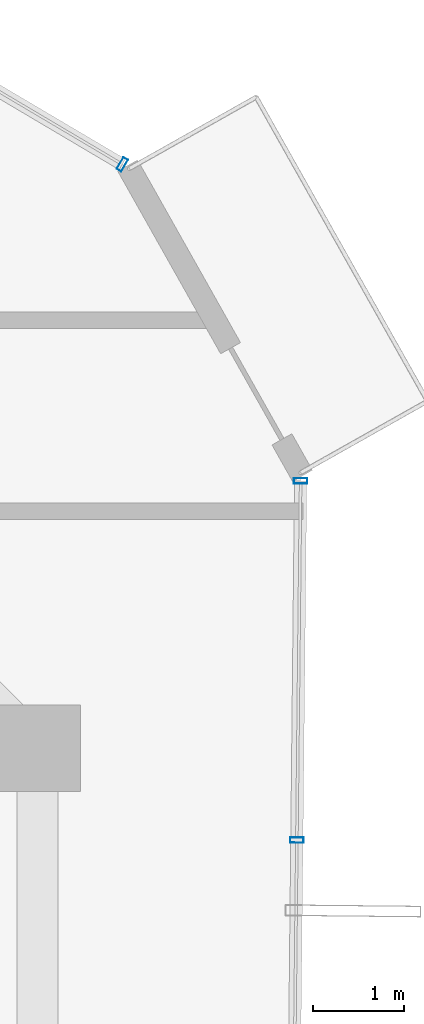
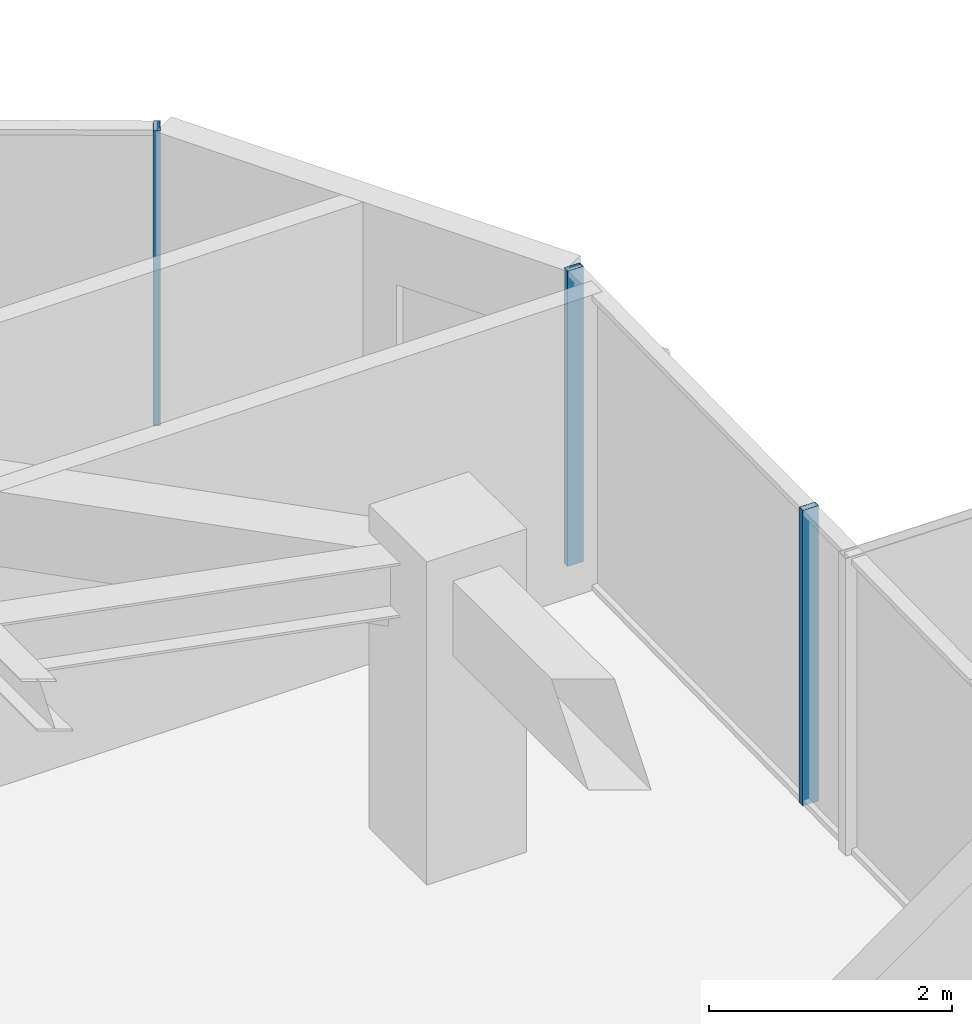
# One storey, part 18 of 30: 3 members, 2 elements without a shape of their own.
"""IFC4 building model written with IfcOpenShell, lengths in metres."""

import ifcopenshell
import ifcopenshell.guid

model = None  # the IFC model being written
_history = None  # IfcOwnerHistory: only IFC2X3 demands one
_inside = {}  # id of a spatial element -> (the spatial element, [elements in it])
_under = {}  # id of a project, library or spatial element -> (it, [spatial elements below it])
_declared = {}  # id of a project -> (the project, [libraries it declares])
_typed = {}  # id of a type object -> (the type object, [elements of that type])
_made_of = {}  # id of a material, layer set ... -> (it, [elements and type objects made of it])


def new_model(schema):
    """Start an empty IFC model of exactly this schema.

    Asked for "IFC4X3", IfcOpenShell would pick the latest addendum, in which some entities
    have other attributes; the version numbers below select the first issue.
    IFC2X3 requires an IfcOwnerHistory on every rooted entity: one is made here for all.
    """
    global model, _history
    if schema == "IFC4X3":
        model = ifcopenshell.file(schema_version=(4, 3, 0, 0))
    else:
        model = ifcopenshell.file(schema=schema)
    _inside.clear()
    _under.clear()
    _declared.clear()
    _typed.clear()
    _made_of.clear()
    _history = None
    if model.schema == "IFC2X3":
        org = make("IfcOrganization", Name="unknown")
        user = make(
            "IfcPersonAndOrganization",
            ThePerson=make("IfcPerson", FamilyName="unknown"),
            TheOrganization=org,
        )
        app = make(
            "IfcApplication",
            ApplicationDeveloper=org,
            Version="unknown",
            ApplicationFullName="unknown",
            ApplicationIdentifier="unknown",
        )
        _history = make(
            "IfcOwnerHistory",
            OwningUser=user,
            OwningApplication=app,
            ChangeAction="ADDED",
            CreationDate=0,
        )
    return model


def make(cls, **values):
    """One entity of the class cls with the attributes given. An attribute that is None is left unset."""
    return model.create_entity(
        cls, **{name: value for name, value in values.items() if value is not None}
    )


def rooted(cls, **values):
    """An entity with a GlobalId (a new one), such as an element, a storey or a relation."""
    return make(cls, GlobalId=ifcopenshell.guid.new(), OwnerHistory=_history, **values)


def si_unit(unit_type, name, prefix=None):
    """IfcSIUnit, for example si_unit("LENGTHUNIT", "METRE", prefix="MILLI")."""
    return make("IfcSIUnit", UnitType=unit_type, Prefix=prefix, Name=name)


def assignment(units):
    """IfcUnitAssignment: the units of a project."""
    return None if units is None else make("IfcUnitAssignment", Units=units)


def point(xyz):
    """IfcCartesianPoint."""
    return None if xyz is None else make("IfcCartesianPoint", Coordinates=xyz)


def direction(xyz):
    """IfcDirection."""
    return None if xyz is None else make("IfcDirection", DirectionRatios=xyz)


def frame(location, z_axis=None, x_axis=None):
    """IfcAxis2Placement3D, a coordinate frame: its origin and axes. An axis left out is left unset."""
    return make(
        "IfcAxis2Placement3D",
        Location=point(location),
        Axis=direction(z_axis),
        RefDirection=direction(x_axis),
    )


def frame_2d(location, x_axis=None):
    """IfcAxis2Placement2D, a coordinate frame in the plane: its origin and x axis."""
    return make(
        "IfcAxis2Placement2D", Location=point(location), RefDirection=direction(x_axis)
    )


def origin():
    """The frame at (0, 0, 0) with its axes left unset."""
    return frame((0.0, 0.0, 0.0))


def origin_2d():
    """The frame at (0, 0) in the plane with its x axis left unset."""
    return frame_2d((0.0, 0.0))


def place(relative_to, where):
    """IfcLocalPlacement: puts the frame where relative to a parent placement (None: the world)."""
    return make(
        "IfcLocalPlacement", PlacementRelTo=relative_to, RelativePlacement=where
    )


def context(
    kind, dimensions, precision=None, world=None, true_north=None, identifier=None
):
    """IfcGeometricRepresentationContext, for example the 3D "Model" context."""
    return make(
        "IfcGeometricRepresentationContext",
        ContextIdentifier=identifier,
        ContextType=kind,
        CoordinateSpaceDimension=dimensions,
        Precision=precision,
        WorldCoordinateSystem=world,
        TrueNorth=true_north,
    )


def subcontext(parent, identifier, kind, view, scale=None):
    """IfcGeometricRepresentationSubContext, for example "Body" below "Model"."""
    return make(
        "IfcGeometricRepresentationSubContext",
        ContextIdentifier=identifier,
        ContextType=kind,
        ParentContext=parent,
        TargetScale=scale,
        TargetView=view,
    )


def project(units=None, contexts=None):
    """IfcProject with its units and contexts."""
    return rooted(
        "IfcProject",
        Name="project",
        RepresentationContexts=contexts,
        UnitsInContext=assignment(units),
    )


def spatial(cls, under=None, at=None, **own):
    """A site, building, storey or space (cls), placed at a placement, below another one or the project."""
    s = rooted(cls, ObjectPlacement=at, **own)
    if under is not None:
        _under.setdefault(under.id(), (under, []))[1].append(s)
    return s


def profile(cls, at=None, kind="AREA", **sizes):
    """A parametric profile (cls). Its sizes go by their IFC names, for example OverallWidth=200.0."""
    return make(cls, ProfileType=kind, Position=at, **sizes)


def hollow_rectangle(**sizes):
    """IfcRectangleHollowProfileDef."""
    return profile("IfcRectangleHollowProfileDef", **sizes)


def extrude(swept, where, along, depth):
    """IfcExtrudedAreaSolid: the profile swept, set in the frame where, extruded along a direction by depth."""
    return make(
        "IfcExtrudedAreaSolid",
        SweptArea=swept,
        Position=where,
        ExtrudedDirection=direction(along),
        Depth=depth,
    )


def shape(context_of_items, identifier, shape_type, items):
    """IfcShapeRepresentation: the items that make up one representation, for example the "Body"."""
    return make(
        "IfcShapeRepresentation",
        ContextOfItems=context_of_items,
        RepresentationIdentifier=identifier,
        RepresentationType=shape_type,
        Items=items,
    )


def source(mapping_origin, context_of_items, identifier, shape_type, items):
    """IfcRepresentationMap: a shape defined once, which mapped items show again and again."""
    return make(
        "IfcRepresentationMap",
        MappingOrigin=mapping_origin,
        MappedRepresentation=shape(context_of_items, identifier, shape_type, items),
    )


def transform(
    local_origin,
    x_axis=None,
    y_axis=None,
    z_axis=None,
    scale=None,
    scale2=None,
    scale3=None,
    uniform=True,
):
    """IfcCartesianTransformationOperator3D, or its non-uniform kind. x_axis, y_axis, z_axis: its Axis1, 2, 3."""
    if uniform:
        return make(
            "IfcCartesianTransformationOperator3D",
            Axis1=direction(x_axis),
            Axis2=direction(y_axis),
            LocalOrigin=point(local_origin),
            Scale=scale,
            Axis3=direction(z_axis),
        )
    return make(
        "IfcCartesianTransformationOperator3DnonUniform",
        Axis1=direction(x_axis),
        Axis2=direction(y_axis),
        LocalOrigin=point(local_origin),
        Scale=scale,
        Axis3=direction(z_axis),
        Scale2=scale2,
        Scale3=scale3,
    )


def mapped(mapping_source, mapping_target):
    """IfcMappedItem: shows the shape of a source again, moved by a transform."""
    return make(
        "IfcMappedItem", MappingSource=mapping_source, MappingTarget=mapping_target
    )


def material(Name=None, Category=None):
    """IfcMaterial."""
    return make("IfcMaterial", Name=Name, Category=Category)


def layer(
    of_material, thickness, ventilated=None, Name=None, Category=None, Priority=None
):
    """IfcMaterialLayer: one layer of a wall or slab, of a material (None: an air gap)."""
    return make(
        "IfcMaterialLayer",
        Material=of_material,
        LayerThickness=thickness,
        IsVentilated=ventilated,
        Name=Name,
        Category=Category,
        Priority=Priority,
    )


def layer_set(layers, Name=None):
    """IfcMaterialLayerSet."""
    return make("IfcMaterialLayerSet", MaterialLayers=layers, LayerSetName=Name)


def material_profile(
    of_material, cross_section, Name=None, Category=None, Priority=None
):
    """IfcMaterialProfile: a cross section and its material."""
    return make(
        "IfcMaterialProfile",
        Name=Name,
        Material=of_material,
        Profile=cross_section,
        Priority=Priority,
        Category=Category,
    )


def profile_set(profiles, Name=None, composite=None):
    """IfcMaterialProfileSet."""
    return make(
        "IfcMaterialProfileSet",
        Name=Name,
        MaterialProfiles=profiles,
        CompositeProfile=composite,
    )


def made_of(thing, what):
    """Note that an element or type object is made of a material, layer set ...; save() writes the relation."""
    if what is not None:
        _made_of.setdefault(what.id(), (what, []))[1].append(thing)
    return thing


def type_object(cls, material=None, **own):
    """A type object (cls), such as IfcWallType, which elements share."""
    return made_of(rooted(cls, **own), material)


def element(
    cls,
    number,
    at=None,
    inside=None,
    cuts=None,
    type_object=None,
    material=None,
    context=None,
    identifier="Body",
    shape_type=None,
    held_by="IfcProductDefinitionShape",
    body=None,
    shapes=None,
    **own,
):
    """One element of the class cls, such as IfcWall. Its Tag is "e" and its number.

    at: its placement. inside: the storey or other place that contains it. cuts: it is an
    opening in that element (IfcRelVoidsElement). A single representation is given by context,
    identifier, shape_type and body (its items); several are given by shapes. held_by: the class
    of the entity that holds the representations. save() writes the other relations.
    """
    e = rooted(cls, Tag="e%d" % number, ObjectPlacement=at, **own)
    if body is not None:
        shapes = [shape(context, identifier, shape_type, body)]
    if shapes is not None:
        e.Representation = make(held_by, Representations=shapes)
    if inside is not None:
        _inside.setdefault(inside.id(), (inside, []))[1].append(e)
    if cuts is not None:
        rooted(
            "IfcRelVoidsElement", RelatingBuildingElement=cuts, RelatedOpeningElement=e
        )
    if type_object is not None:
        _typed.setdefault(type_object.id(), (type_object, []))[1].append(e)
    return made_of(e, material)


def aggregate(whole, parts):
    """IfcRelAggregates: a whole, such as a stair, and the parts it consists of."""
    return rooted("IfcRelAggregates", RelatingObject=whole, RelatedObjects=parts)


def save(model, path):
    """Write the relations noted so far, then the file.

    IfcRelAggregates (storeys below a building ...), IfcRelContainedInSpatialStructure (elements
    in a storey), IfcRelDefinesByType, IfcRelAssociatesMaterial and IfcRelDeclares: one each for
    every whole, place, type object, material and project.
    """
    for whole, parts in _under.values():
        aggregate(whole, parts)
    for where, things in _inside.values():
        rooted(
            "IfcRelContainedInSpatialStructure",
            RelatedElements=things,
            RelatingStructure=where,
        )
    for kind, things in _typed.values():
        rooted("IfcRelDefinesByType", RelatedObjects=things, RelatingType=kind)
    for what, things in _made_of.values():
        rooted("IfcRelAssociatesMaterial", RelatedObjects=things, RelatingMaterial=what)
    for by, libraries in _declared.values():
        rooted("IfcRelDeclares", RelatingContext=by, RelatedDefinitions=libraries)
    model.write(path)


model = new_model("IFC4")

# Units and contexts
model_context = context("Model", 3, precision=1e-05, world=origin(), true_north=direction((0.0, 1.0)))
body_context = subcontext(model_context, "Body", "Model", "MODEL_VIEW")
ifc_project = project(units=[si_unit("LENGTHUNIT", "METRE"), si_unit("AREAUNIT", "SQUARE_METRE"), si_unit("VOLUMEUNIT", "CUBIC_METRE"), si_unit("PLANEANGLEUNIT", "RADIAN"), si_unit("MASSUNIT", "GRAM", prefix="KILO")], contexts=[model_context])

# Site, building, storey
site_placement = place(None, origin())
site = spatial("IfcSite", under=ifc_project, at=site_placement, CompositionType="ELEMENT")
building_placement = place(site_placement, origin())
building = spatial("IfcBuilding", under=site, at=building_placement, Name="Veraguas Prism Commons", CompositionType="ELEMENT")
storey_placement = place(building_placement, frame((0.0, 0.0, 208.10009765625)))
storey = spatial("IfcBuildingStorey", under=building, at=storey_placement, Name="L59", CompositionType="ELEMENT", Elevation=208.10009765625)

# Curtain wall, member
ifc_material = material(Name="Anodised aluminium EN AW-6063 T6", Category="aluminium")
ifc_layer = layer(ifc_material, 0.14990234375, Name="Unitised Flush Curtain Wall Zone 3", Category="aluminium")
ifc_layer_set = layer_set([ifc_layer], Name="Anodised aluminium EN AW-6063 T6")
curtain_wall_type = type_object("IfcCurtainWallType", Name="Unitised Flush Curtain Wall Zone 3", PredefinedType="NOTDEFINED", material=ifc_layer_set)
curtain_wall_1_placement = place(storey_placement, origin())
curtain_wall_1 = element("IfcCurtainWall", 1, at=curtain_wall_1_placement, inside=storey, type_object=curtain_wall_type, Name="Tower Facade Curtain Wall L59-F1", PredefinedType="NOTDEFINED")
ifc_material_profile = material_profile(ifc_material, hollow_rectangle(XDim=0.06005859375, YDim=0.14990234375, WallThickness=0.0029296875, at=origin_2d()), Name="AL60X150X3")
ifc_profile_set = profile_set([ifc_material_profile], Name="Anodised aluminium EN AW-6063 T6")
member_type = type_object("IfcMemberType", Name="Curtain Wall Mullion Upper AL 60x150x3", PredefinedType="MULLION", material=ifc_profile_set)
shared_shape = source(origin(), body_context, "Body", "SweptSolid", [
    extrude(hollow_rectangle(XDim=0.06005859375, YDim=0.14990234375, WallThickness=0.0029296875, at=origin_2d()), origin(), (0.0, 0.0, 1.0), 2.969970703125),
])
member_1_placement = place(storey_placement, frame((39.83349609375, 35.211669921875, 0.0), z_axis=(0.0, 0.0, 1.0), x_axis=(-0.860741138558, 0.509042918028, 0.0)))
member_1 = element("IfcMember", 2, at=member_1_placement, type_object=member_type, Name="CW-Z3 Mullion 1", PredefinedType="MULLION", context=body_context, shape_type="MappedRepresentation", body=[
    mapped(shared_shape, transform((0.0, 0.0, 0.0), scale=1.0)),
])
aggregate(curtain_wall_1, [member_1])

# Curtain wall, members
curtain_wall_2_placement = place(storey_placement, origin())
curtain_wall_2 = element("IfcCurtainWall", 3, at=curtain_wall_2_placement, inside=storey, type_object=curtain_wall_type, Name="Tower Facade Curtain Wall L59-F6", PredefinedType="NOTDEFINED")
member_2_placement = place(storey_placement, frame((41.7509765625, 27.7900390625, 0.0), z_axis=(0.0, 0.0, 1.0), x_axis=(0.010470038883, 0.999945187641, 0.0)))
member_2 = element("IfcMember", 4, at=member_2_placement, type_object=member_type, Name="CW-Z3 Mullion 4", PredefinedType="MULLION", context=body_context, shape_type="MappedRepresentation", body=[
    mapped(shared_shape, transform((0.0, 0.0, 0.0), scale=1.0)),
])
member_3_placement = place(storey_placement, frame((41.792236328125, 31.7353515625, 0.0), z_axis=(0.0, 0.0, 1.0), x_axis=(0.010470038883, 0.999945187641, 0.0)))
member_3 = element("IfcMember", 5, at=member_3_placement, type_object=member_type, Name="CW-Z3 Mullion 5", PredefinedType="MULLION", context=body_context, shape_type="MappedRepresentation", body=[
    mapped(shared_shape, transform((0.0, 0.0, 0.0), scale=1.0)),
])
aggregate(curtain_wall_2, [member_2, member_3])

save(model, "model.ifc")
